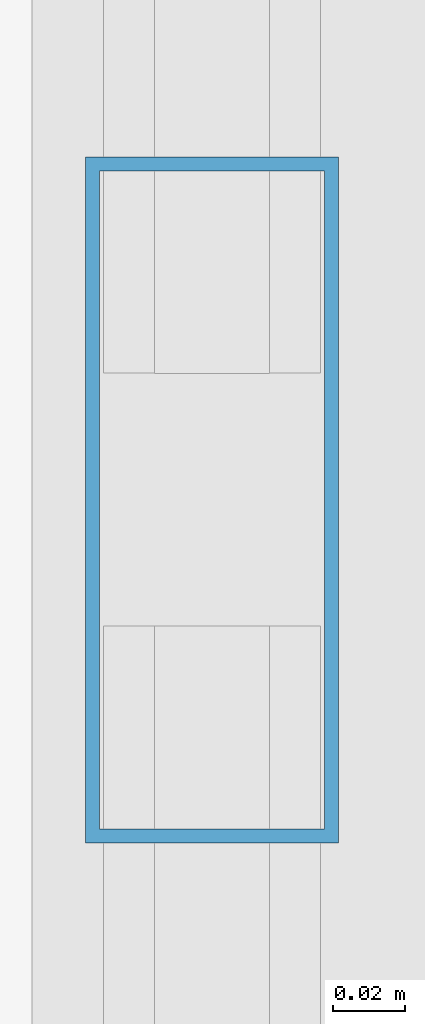
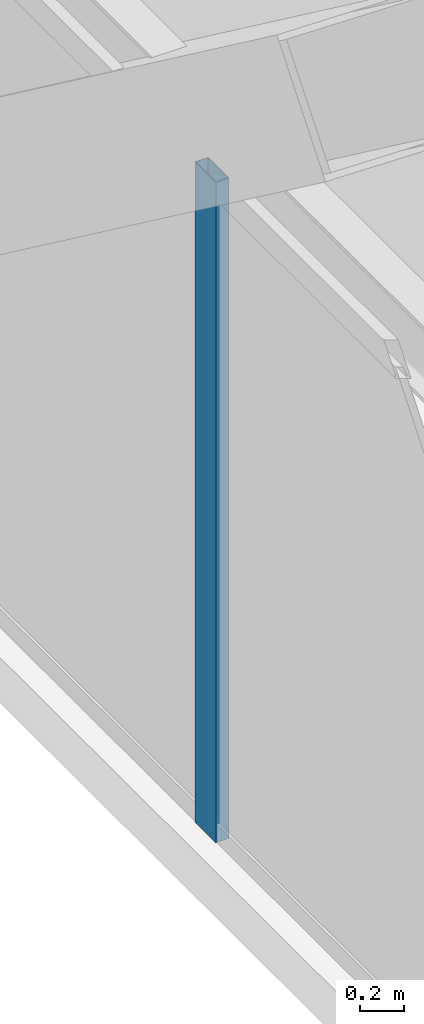
# One storey, part 11 of 32: 1 member, 1 element without a shape of its own.
"""IFC4 building model written with IfcOpenShell, lengths in metres."""

from ifc_helpers import new_model, si_unit, direction, frame, origin, origin_2d, place, context, subcontext, project, spatial, hollow_rectangle, extrude, source, transform, mapped, material, layer, layer_set, material_profile, profile_set, type_object, type_shapes, element, aggregate, save


model = new_model("IFC4")

# Units and contexts
model_context = context("Model", 3, precision=1e-05, world=origin(), true_north=direction((0.0, 1.0)))
body_context = subcontext(model_context, "Body", "Model", "MODEL_VIEW")
ifc_project = project(units=[si_unit("LENGTHUNIT", "METRE"), si_unit("AREAUNIT", "SQUARE_METRE"), si_unit("VOLUMEUNIT", "CUBIC_METRE"), si_unit("PLANEANGLEUNIT", "RADIAN"), si_unit("MASSUNIT", "GRAM", prefix="KILO")], contexts=[model_context])

# Site, building, storey
site_placement = place(None, origin())
site = spatial("IfcSite", under=ifc_project, at=site_placement, CompositionType="ELEMENT")
building_placement = place(site_placement, origin())
building = spatial("IfcBuilding", under=site, at=building_placement, Name="Varnel Quay Broadcast Tower", CompositionType="ELEMENT")
storey_placement = place(building_placement, frame((0.0, 0.0, 43.199951171875)))
storey = spatial("IfcBuildingStorey", under=building, at=storey_placement, Name="L09", CompositionType="ELEMENT", Elevation=43.199951171875)

# Curtain wall, member
ifc_material = material(Name="Anodised Bronze Aluminium 6063-T6", Category="aluminium")
ifc_layer = layer(ifc_material, 0.18994140625, Name="Anodised Bronze Aluminium 6063-T6")
ifc_layer_set = layer_set([ifc_layer], Name="Anodised Bronze Aluminium 6063-T6")
curtain_wall_type = type_object("IfcCurtainWallType", Name="CW_LowerTower", PredefinedType="NOTDEFINED", material=ifc_layer_set)
curtain_wall_placement = place(storey_placement, origin())
curtain_wall = element("IfcCurtainWall", 1, at=curtain_wall_placement, inside=storey, type_object=curtain_wall_type, Name="L09 West Unitised Curtain Wall", PredefinedType="NOTDEFINED")
ifc_material_profile = material_profile(ifc_material, hollow_rectangle(XDim=0.070068359375, YDim=0.18994140625, WallThickness=0.00390625, at=origin_2d()), Name="ALU70X190X4")
ifc_profile_set = profile_set([ifc_material_profile], Name="Anodised Bronze Aluminium 6063-T6")
member_type = type_object("IfcMemberType", Name="Mull_CWS-02", PredefinedType="MULLION", material=ifc_profile_set)
shared_shape = source(origin(), body_context, "Body", "SweptSolid", [
    extrude(hollow_rectangle(XDim=0.070068359375, YDim=0.18994140625, WallThickness=0.00390625, at=origin_2d()), origin(), (0.0, 0.0, 1.0), 3.650146484375),
])
type_shapes(member_type, [shared_shape])
member_placement = place(storey_placement, frame((2.14990234375, 30.39990234375, 0.0), z_axis=(0.0, 0.0, 1.0), x_axis=(-1.0, 0.0, 0.0)))
member = element("IfcMember", 2, at=member_placement, type_object=member_type, Name="CWS-02 mullion 3", PredefinedType="MULLION", context=body_context, shape_type="MappedRepresentation", body=[
    mapped(shared_shape, transform((0.0, 0.0, 0.0), x_axis=(1.0, 0.0, 0.0), y_axis=(0.0, 1.0, 0.0), z_axis=(0.0, 0.0, 1.0), scale=1.0)),
])
aggregate(curtain_wall, [member])

save(model, "model.ifc")
